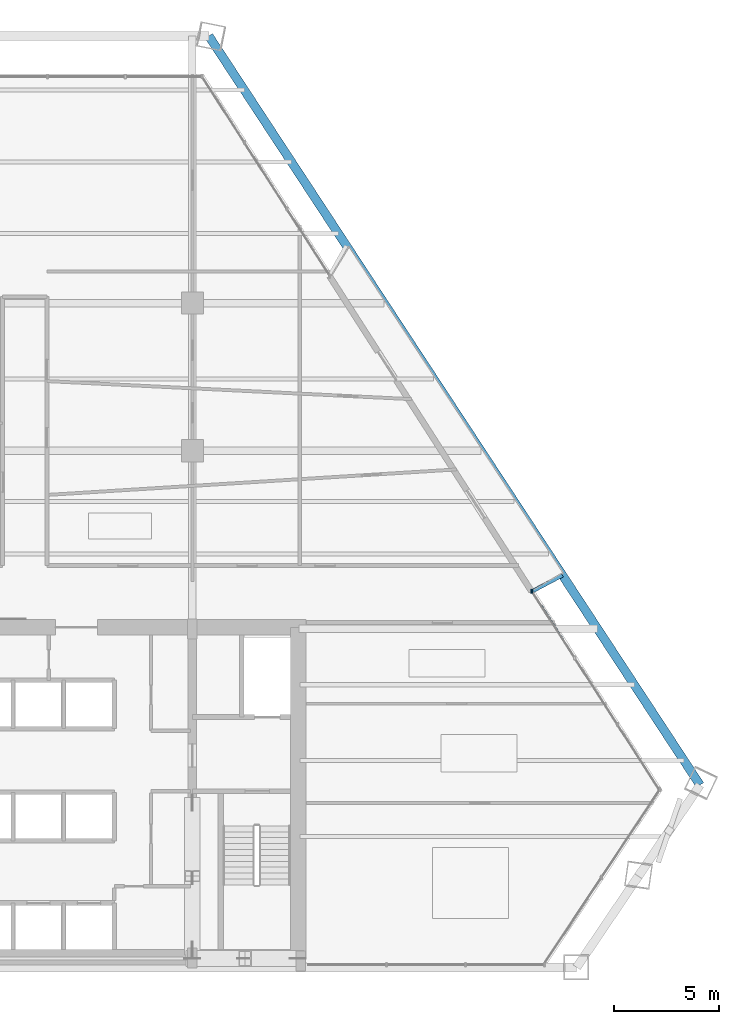
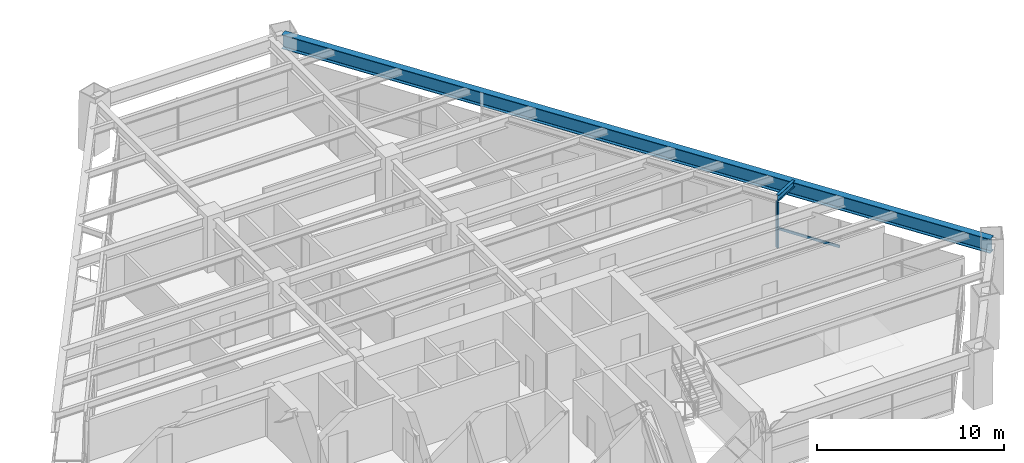
# One storey, part 7 of 14: 3 members, 2 beams, 1 element without a shape of its own.
"""IFC4 building model written with IfcOpenShell, lengths in metres."""

from ifc_helpers import new_model, si_unit, direction, frame, origin, origin_2d, place, context, subcontext, project, spatial, rectangle, i_section, extrude, source, transform, mapped, material, material_profile, profile_set, type_object, element, aggregate, save


model = new_model("IFC4")

# Units and contexts
model_context = context("Model", 3, precision=1e-05, world=origin(), true_north=direction((0.0, 1.0)))
body_context = subcontext(model_context, "Body", "Model", "MODEL_VIEW")
ifc_project = project(units=[si_unit("LENGTHUNIT", "METRE"), si_unit("AREAUNIT", "SQUARE_METRE"), si_unit("VOLUMEUNIT", "CUBIC_METRE"), si_unit("PLANEANGLEUNIT", "RADIAN"), si_unit("MASSUNIT", "GRAM", prefix="KILO")], contexts=[model_context])

# Site, building, storey
site_placement = place(None, origin())
site = spatial("IfcSite", under=ifc_project, at=site_placement, CompositionType="ELEMENT")
building_placement = place(site_placement, origin())
building = spatial("IfcBuilding", under=site, at=building_placement, Name="Varnakhor Terracotta Tower", CompositionType="ELEMENT")
storey_placement = place(building_placement, frame((0.0, 0.0, 117.300048828125)))
storey = spatial("IfcBuildingStorey", under=building, at=storey_placement, Name="L29", CompositionType="ELEMENT", Elevation=117.300048828125)

# Beams
ifc_material_1 = material(Name="Steel S355", Category="steel")
ifc_material_profile_1 = material_profile(ifc_material_1, i_section(OverallWidth=0.41796875, OverallDepth=0.927001953125, WebThickness=0.01904296875, FlangeThickness=0.031982421875, FilletRadius=0.01806640625, at=origin_2d()), Name="W36X231")
ifc_profile_set_1 = profile_set([ifc_material_profile_1], Name="Steel S355")
beam_type_1 = type_object("IfcBeamType", Name="BM-W36X231", PredefinedType="BEAM", material=ifc_profile_set_1)
shared_shape_1 = source(origin(), body_context, "Body", "SweptSolid", [
    extrude(i_section(OverallWidth=0.41796875, OverallDepth=0.927001953125, WebThickness=0.01904296875, FlangeThickness=0.031982421875, FilletRadius=0.01806640625, at=origin_2d()), origin(), (0.0, 0.0, 1.0), 42.479248046875),
])
beam_1_placement = place(storey_placement, frame((29.573974609375, 8.644775390625, 2.95654296875), z_axis=(-0.548353733759, 0.836246484401, 0.0), x_axis=(-0.836246484401, -0.548353733759, 0.0)))
element("IfcBeam", 1, at=beam_1_placement, inside=storey, type_object=beam_type_1, Name="L29 Perimeter Spandrel 4", PredefinedType="BEAM", context=body_context, shape_type="MappedRepresentation", body=[
    mapped(shared_shape_1, transform((0.0, 0.0, 0.0), scale=1.0)),
])
ifc_material_profile_2 = material_profile(ifc_material_1, i_section(OverallWidth=0.179931640625, OverallDepth=0.39990234375, WebThickness=0.008544921875, FlangeThickness=0.013427734375, FilletRadius=0.01806640625, at=origin_2d()), Name="IPE400")
ifc_profile_set_2 = profile_set([ifc_material_profile_2], Name="Steel S355")
beam_type_2 = type_object("IfcBeamType", Name="JST-IPE400", PredefinedType="JOIST", material=ifc_profile_set_2)
shared_shape_2 = source(origin(), body_context, "Body", "SweptSolid", [
    extrude(i_section(OverallWidth=0.179931640625, OverallDepth=0.39990234375, WebThickness=0.008544921875, FlangeThickness=0.013427734375, FilletRadius=0.01806640625, at=origin_2d()), origin(), (0.0, 0.0, 1.0), 1.61474609375),
])
beam_2_placement = place(storey_placement, frame((21.624755859375, 17.835693359375, 3.219970703125), z_axis=(0.883751135774, 0.467957188233, 0.0), x_axis=(-0.467957188233, 0.883751135774, 0.0)))
element("IfcBeam", 2, at=beam_2_placement, inside=storey, type_object=beam_type_2, Name="L30 E Loggia Tie Beam 2", PredefinedType="JOIST", context=body_context, shape_type="MappedRepresentation", body=[
    mapped(shared_shape_2, transform((0.0, 0.0, 0.0), scale=1.0)),
])

# Curtain wall, members
ifc_material_2 = material(Name="Anodised Aluminium Curtain Wall System", Category="aluminium")
curtain_wall_type = type_object("IfcCurtainWallType", Name="CW-SYS-LOW-OFFICE", PredefinedType="NOTDEFINED", material=ifc_material_2)
curtain_wall_placement = place(storey_placement, origin())
curtain_wall = element("IfcCurtainWall", 3, at=curtain_wall_placement, inside=storey, type_object=curtain_wall_type, Name="L29 E Facet Curtain Wall 2", PredefinedType="NOTDEFINED")
ifc_material_3 = material(Name="Anodised Aluminium 6063-T6", Category="aluminium")
ifc_material_profile_3 = material_profile(ifc_material_3, rectangle(XDim=0.074951171875, YDim=0.18505859375, at=origin_2d()), Name="ALU MULLION 75x185")
ifc_profile_set_3 = profile_set([ifc_material_profile_3], Name="Anodised Aluminium 6063-T6")
member_type_1 = type_object("IfcMemberType", Name="CWM-02", PredefinedType="MULLION", material=ifc_profile_set_3)
shared_shape_3 = source(origin(), body_context, "Body", "SweptSolid", [
    extrude(rectangle(XDim=0.074951171875, YDim=0.18505859375, at=origin_2d()), origin(), (0.0, 0.0, 1.0), 3.0),
])
member_1_placement = place(storey_placement, frame((21.614990234375, 17.820556640625, 0.0), z_axis=(0.0, 0.0, 1.0), x_axis=(1.0, 0.0, 0.0)))
member_1 = element("IfcMember", 4, at=member_1_placement, type_object=member_type_1, Name="L29 E Facet Curtain Wall 2 Mullion 1", PredefinedType="MULLION", context=body_context, shape_type="MappedRepresentation", body=[
    mapped(shared_shape_3, transform((0.0, 0.0, 0.0), scale=1.0)),
])
member_2_placement = place(storey_placement, frame((21.581787109375, 17.8349609375, 0.0), z_axis=(0.0, 0.0, 1.0), x_axis=(1.0, 0.0, 0.0)))
member_2 = element("IfcMember", 5, at=member_2_placement, type_object=member_type_1, Name="L29 E Loggia Jamb Closure Mullion 2", PredefinedType="MULLION", context=body_context, shape_type="MappedRepresentation", body=[
    mapped(shared_shape_3, transform((0.0, 0.0, 0.0), scale=1.0)),
])
ifc_material_profile_4 = material_profile(ifc_material_3, rectangle(XDim=0.074951171875, YDim=0.1650390625, at=origin_2d()), Name="ALU TRANSOM 75x165")
ifc_profile_set_4 = profile_set([ifc_material_profile_4], Name="Anodised Aluminium 6063-T6")
member_type_2 = type_object("IfcMemberType", Name="CWT-02", PredefinedType="USERDEFINED", material=ifc_profile_set_4)
shared_shape_4 = source(origin(), body_context, "Body", "SweptSolid", [
    extrude(rectangle(XDim=0.074951171875, YDim=0.1650390625, at=origin_2d()), origin(), (0.0, 0.0, 1.0), 3.743408203125),
])
member_3_placement = place(storey_placement, frame((21.614990234375, 17.820556640625, 1.260009765625), z_axis=(0.539619889438, -0.841908768765, 0.0), x_axis=(0.841908768765, 0.539619889438, 0.0)))
member_3 = element("IfcMember", 6, at=member_3_placement, type_object=member_type_2, Name="L29 E Facet Curtain Wall 2 Transom 1", ObjectType="TRANSOM", PredefinedType="USERDEFINED", context=body_context, shape_type="MappedRepresentation", body=[
    mapped(shared_shape_4, transform((0.0, 0.0, 0.0), scale=1.0)),
])
aggregate(curtain_wall, [member_1, member_3, member_2])

save(model, "model.ifc")
